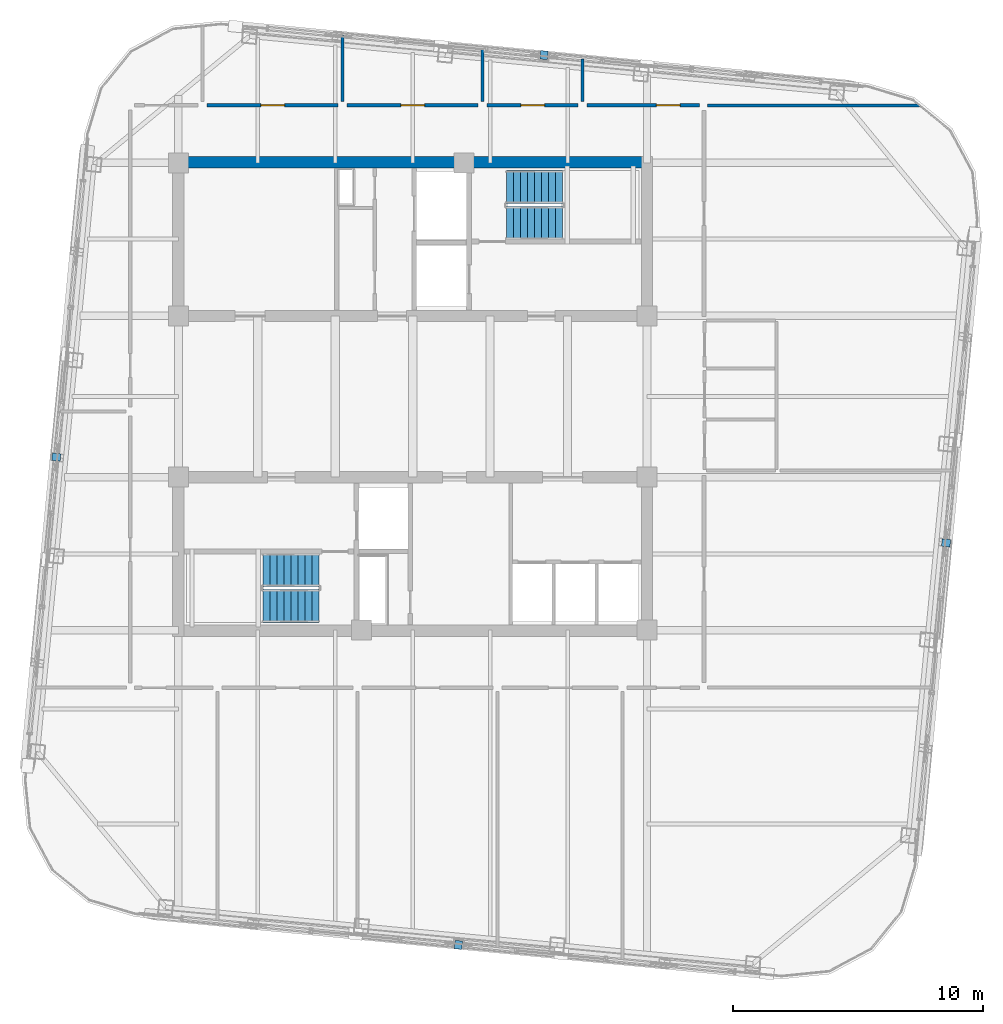
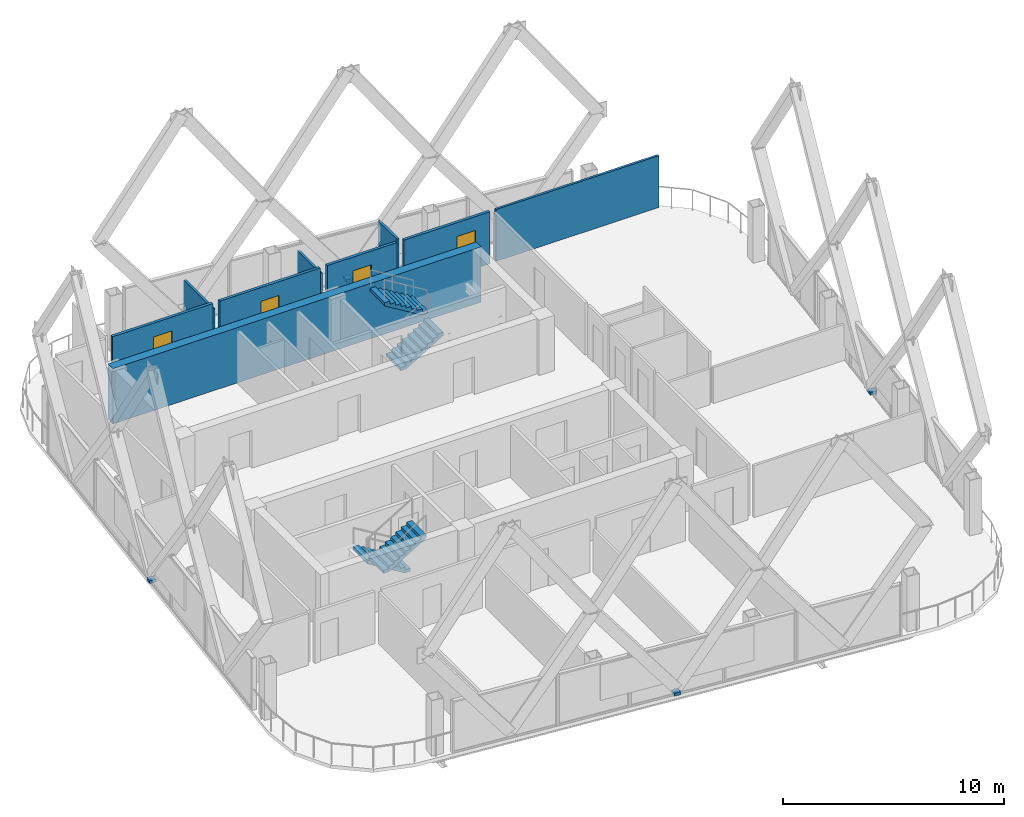
# One storey, part 21 of 25: 9 walls, 4 discrete accessories, 4 doors, 4 stair flights, 4 openings, 2 elements without a shape of their own.
"""IFC4 building model written with IfcOpenShell, lengths in metres."""

from ifc_helpers import new_model, si_unit, direction, frame, frame_2d, origin, origin_2d, place, context, subcontext, project, spatial, polyline, rectangle, outline, extrude, material, layer, layer_set, type_object, element, fill, aggregate, save


model = new_model("IFC4")

# Units and contexts
model_context = context("Model", 3, precision=1e-05, world=origin(), true_north=direction((0.0, 1.0)))
body_context = subcontext(model_context, "Body", "Model", "MODEL_VIEW")
ifc_project = project(units=[si_unit("LENGTHUNIT", "METRE"), si_unit("AREAUNIT", "SQUARE_METRE"), si_unit("VOLUMEUNIT", "CUBIC_METRE"), si_unit("PLANEANGLEUNIT", "RADIAN"), si_unit("MASSUNIT", "GRAM", prefix="KILO")], contexts=[model_context])

# Site, building, storey
site_placement = place(None, origin())
site = spatial("IfcSite", under=ifc_project, at=site_placement, CompositionType="ELEMENT")
building_placement = place(site_placement, origin())
building = spatial("IfcBuilding", under=site, at=building_placement, Name="Qhalaya Broadcast Tower", CompositionType="ELEMENT")
storey_placement = place(building_placement, frame((0.0, 0.0, 255.050048828125)))
storey = spatial("IfcBuildingStorey", under=building, at=storey_placement, Name="L75", CompositionType="ELEMENT", Elevation=255.050048828125)

# Wall, opening, door
ifc_material_1 = material(Name="Gypsum Acoustic Partition")
ifc_layer_1 = layer(ifc_material_1, 0.14990234375, Name="Gypsum Acoustic Partition")
ifc_layer_set_1 = layer_set([ifc_layer_1], Name="Gypsum Acoustic Partition")
wall_type_1 = type_object("IfcWallType", Name="Corridor & Tenancy Acoustic Partition 150", PredefinedType="PARTITIONING", material=ifc_layer_set_1)
wall_1_placement = place(storey_placement, frame((-8.219970703125, 12.25, 0.0), z_axis=(0.0, 0.0, 1.0), x_axis=(1.0, 0.0, 0.0)))
wall_1 = element("IfcWall", 1, at=wall_1_placement, inside=storey, type_object=wall_type_1, Name="L75 Partition Wall W-COR-02", PredefinedType="PARTITIONING", context=body_context, shape_type="SweptSolid", body=[
    extrude(rectangle(XDim=5.239990234375, YDim=0.14990234375, at=frame_2d((2.6201171875, 0.0))), origin(), (0.0, 0.0, 1.0), 2.85986328125),
])
opening_1_placement = place(wall_1_placement, frame((2.14501953125, 0.0, 0.0)))
opening_1 = element("IfcOpeningElement", 2, at=opening_1_placement, cuts=wall_1, Name="Opening D10", PredefinedType="OPENING", context=body_context, shape_type="SweptSolid", body=[
    extrude(rectangle(XDim=0.949951171875, YDim=2.10009765625, at=frame_2d((0.47509765625, 1.050048828125))), frame((0.0, 0.0869140625, 0.0), z_axis=(0.0, -1.0, 0.0), x_axis=(1.0, 0.0, 0.0)), (0.0, 0.0, 1.0), 0.173828125),
])
ifc_material_2 = material(Name="Timber Veneer Acoustic Door", Category="wood")
door_type = type_object("IfcDoorType", Name="Cellular Office & Edit Booth Door D10", OperationType="NOTDEFINED", PredefinedType="DOOR", material=ifc_material_2)
door_1_placement = place(opening_1_placement, origin())
door_1 = element("IfcDoor", 3, at=door_1_placement, inside=storey, type_object=door_type, Name="L75 Door D-RM02", OperationType="SINGLE_SWING_RIGHT", OverallHeight=2.10009765625, OverallWidth=0.949951171875, PredefinedType="DOOR", context=body_context, shape_type="SweptSolid", body=[
    extrude(rectangle(XDim=0.949951171875, YDim=2.10009765625, at=frame_2d((0.47509765625, 1.050048828125))), frame((0.0, 0.02490234375, 0.0), z_axis=(0.0, -1.0, 0.0), x_axis=(1.0, 0.0, 0.0)), (0.0, 0.0, 1.0), 0.050048828125),
])
fill(opening_1, door_1)

wall_2_placement = place(storey_placement, frame((-2.6201171875, 12.25, 0.0), z_axis=(0.0, 0.0, 1.0), x_axis=(1.0, 0.0, 0.0)))
wall_2 = element("IfcWall", 4, at=wall_2_placement, inside=storey, type_object=wall_type_1, Name="L75 Partition Wall W-COR-03", PredefinedType="PARTITIONING", context=body_context, shape_type="SweptSolid", body=[
    extrude(rectangle(XDim=5.240234375, YDim=0.14990234375, at=frame_2d((2.6201171875, 0.0))), origin(), (0.0, 0.0, 1.0), 2.85986328125),
])
opening_2_placement = place(wall_2_placement, frame((2.14501953125, 0.0, 0.0)))
opening_2 = element("IfcOpeningElement", 5, at=opening_2_placement, cuts=wall_2, Name="Opening D10", PredefinedType="OPENING", context=body_context, shape_type="SweptSolid", body=[
    extrude(rectangle(XDim=0.949951171875, YDim=2.10009765625, at=frame_2d((0.47509765625, 1.050048828125))), frame((0.0, 0.0869140625, 0.0), z_axis=(0.0, -1.0, 0.0), x_axis=(1.0, 0.0, 0.0)), (0.0, 0.0, 1.0), 0.173828125),
])
door_2_placement = place(opening_2_placement, origin())
door_2 = element("IfcDoor", 6, at=door_2_placement, inside=storey, type_object=door_type, Name="L75 Door D-RM03", OperationType="SINGLE_SWING_LEFT", OverallHeight=2.10009765625, OverallWidth=0.949951171875, PredefinedType="DOOR", context=body_context, shape_type="SweptSolid", body=[
    extrude(rectangle(XDim=0.949951171875, YDim=2.10009765625, at=frame_2d((0.47509765625, 1.050048828125))), frame((0.0, 0.02490234375, 0.0), z_axis=(0.0, -1.0, 0.0), x_axis=(1.0, 0.0, 0.0)), (0.0, 0.0, 1.0), 0.050048828125),
])
fill(opening_2, door_2)

wall_3_placement = place(storey_placement, frame((2.97998046875, 12.25, 0.0), z_axis=(0.0, 0.0, 1.0), x_axis=(1.0, 0.0, 0.0)))
wall_3 = element("IfcWall", 7, at=wall_3_placement, inside=storey, type_object=wall_type_1, Name="L75 Partition Wall W-COR-04", PredefinedType="PARTITIONING", context=body_context, shape_type="SweptSolid", body=[
    extrude(rectangle(XDim=3.64013671875, YDim=0.14990234375, at=frame_2d((1.820068359375, 0.0))), origin(), (0.0, 0.0, 1.0), 2.85986328125),
])
opening_3_placement = place(wall_3_placement, frame((1.344970703125, 0.0, 0.0)))
opening_3 = element("IfcOpeningElement", 8, at=opening_3_placement, cuts=wall_3, Name="Opening D10", PredefinedType="OPENING", context=body_context, shape_type="SweptSolid", body=[
    extrude(rectangle(XDim=0.949951171875, YDim=2.10009765625, at=frame_2d((0.47509765625, 1.050048828125))), frame((0.0, 0.0869140625, 0.0), z_axis=(0.0, -1.0, 0.0), x_axis=(1.0, 0.0, 0.0)), (0.0, 0.0, 1.0), 0.173828125),
])
door_3_placement = place(opening_3_placement, origin())
door_3 = element("IfcDoor", 9, at=door_3_placement, inside=storey, type_object=door_type, Name="L75 Door D-RM04", OperationType="SINGLE_SWING_RIGHT", OverallHeight=2.10009765625, OverallWidth=0.949951171875, PredefinedType="DOOR", context=body_context, shape_type="SweptSolid", body=[
    extrude(rectangle(XDim=0.949951171875, YDim=2.10009765625, at=frame_2d((0.47509765625, 1.050048828125))), frame((0.0, 0.02490234375, 0.0), z_axis=(0.0, -1.0, 0.0), x_axis=(1.0, 0.0, 0.0)), (0.0, 0.0, 1.0), 0.050048828125),
])
fill(opening_3, door_3)

wall_4_placement = place(storey_placement, frame((6.97998046875, 12.25, 0.0), z_axis=(0.0, 0.0, 1.0), x_axis=(1.0, 0.0, 0.0)))
wall_4 = element("IfcWall", 10, at=wall_4_placement, inside=storey, type_object=wall_type_1, Name="L75 Partition Wall W-COR-05", PredefinedType="PARTITIONING", context=body_context, shape_type="SweptSolid", body=[
    extrude(rectangle(XDim=4.489990234375, YDim=0.14990234375, at=frame_2d((2.2451171875, 0.0))), origin(), (0.0, 0.0, 1.0), 2.85986328125),
])
opening_4_placement = place(wall_4_placement, frame((2.77001953125, 0.0, 0.0)))
opening_4 = element("IfcOpeningElement", 11, at=opening_4_placement, cuts=wall_4, Name="Opening D10", PredefinedType="OPENING", context=body_context, shape_type="SweptSolid", body=[
    extrude(rectangle(XDim=0.949951171875, YDim=2.10009765625, at=frame_2d((0.47509765625, 1.050048828125))), frame((0.0, 0.0869140625, 0.0), z_axis=(0.0, -1.0, 0.0), x_axis=(1.0, 0.0, 0.0)), (0.0, 0.0, 1.0), 0.173828125),
])
door_4_placement = place(opening_4_placement, origin())
door_4 = element("IfcDoor", 12, at=door_4_placement, inside=storey, type_object=door_type, Name="L75 Door D-RM05", OperationType="SINGLE_SWING_LEFT", OverallHeight=2.10009765625, OverallWidth=0.949951171875, PredefinedType="DOOR", context=body_context, shape_type="SweptSolid", body=[
    extrude(rectangle(XDim=0.949951171875, YDim=2.10009765625, at=frame_2d((0.47509765625, 1.050048828125))), frame((0.0, 0.02490234375, 0.0), z_axis=(0.0, -1.0, 0.0), x_axis=(1.0, 0.0, 0.0)), (0.0, 0.0, 1.0), 0.050048828125),
])
fill(opening_4, door_4)

# Walls
ifc_layer_2 = layer(ifc_material_1, 0.1201171875, Name="Gypsum Acoustic Partition")
ifc_layer_set_2 = layer_set([ifc_layer_2], Name="Gypsum Acoustic Partition")
wall_type_2 = type_object("IfcWallType", Name="Office, Booth & Sanitary Partition 120", PredefinedType="PARTITIONING", material=ifc_layer_set_2)
wall_5_placement = place(storey_placement, frame((11.7900390625, 12.25, 0.0), z_axis=(0.0, 0.0, 1.0), x_axis=(1.0, 0.0, 0.0)))
element("IfcWall", 13, at=wall_5_placement, inside=storey, type_object=wall_type_2, Name="L75 Partition Wall W-BNDE1", PredefinedType="PARTITIONING", context=body_context, shape_type="SweptSolid", body=[
    extrude(rectangle(XDim=8.484130859375, YDim=0.1201171875, at=frame_2d((4.2421875, 0.0))), origin(), (0.0, 0.0, 1.0), 2.85986328125),
])
wall_6_placement = place(storey_placement, frame((-2.800048828125, 12.409912109375, 0.0), z_axis=(0.0, 0.0, 1.0), x_axis=(0.0, 1.0, 0.0)))
element("IfcWall", 14, at=wall_6_placement, inside=storey, type_object=wall_type_2, Name="L75 Partition Wall W-DIVN2", PredefinedType="PARTITIONING", context=body_context, shape_type="SweptSolid", body=[
    extrude(rectangle(XDim=2.623291015625, YDim=0.1201171875, at=frame_2d((1.3115234375, 0.0))), origin(), (0.0, 0.0, 1.0), 2.380859375),
])
wall_7_placement = place(storey_placement, frame((2.800048828125, 12.409912109375, 0.0), z_axis=(0.0, 0.0, 1.0), x_axis=(0.0, 1.0, 0.0)))
element("IfcWall", 15, at=wall_7_placement, inside=storey, type_object=wall_type_2, Name="L75 Partition Wall W-DIVN3", PredefinedType="PARTITIONING", context=body_context, shape_type="SweptSolid", body=[
    extrude(rectangle(XDim=2.083984375, YDim=0.1201171875, at=frame_2d((1.0419921875, 0.0))), origin(), (0.0, 0.0, 1.0), 2.380859375),
])
wall_8_placement = place(storey_placement, frame((6.800048828125, 12.409912109375, 0.0), z_axis=(0.0, 0.0, 1.0), x_axis=(0.0, 1.0, 0.0)))
element("IfcWall", 16, at=wall_8_placement, inside=storey, type_object=wall_type_2, Name="L75 Partition Wall W-DIVN4", PredefinedType="PARTITIONING", context=body_context, shape_type="SweptSolid", body=[
    extrude(rectangle(XDim=1.698974609375, YDim=0.1201171875, at=frame_2d((0.849609375, 0.0))), origin(), (0.0, 0.0, 1.0), 2.85986328125),
])
ifc_material_3 = material(Name="Concrete C50/60", Category="concrete")
ifc_layer_3 = layer(ifc_material_3, 0.449951171875, Name="Concrete C50/60")
ifc_layer_set_3 = layer_set([ifc_layer_3], Name="Concrete C50/60")
wall_type_3 = type_object("IfcWallType", Name="Upper Split-Core Shear Wall 450", PredefinedType="SHEAR", material=ifc_layer_set_3)
wall_9_placement = place(storey_placement, frame((-9.60009765625, 9.97509765625, 0.0), z_axis=(0.0, 0.0, 1.0), x_axis=(1.0, 0.0, 0.0)))
element("IfcWall", 17, at=wall_9_placement, inside=storey, type_object=wall_type_3, Name="L75 Split-Core Shear Wall CW-NN", PredefinedType="SHEAR", context=body_context, shape_type="SweptSolid", body=[
    extrude(rectangle(XDim=19.2001953125, YDim=0.449951171875, at=frame_2d((9.60009765625, 0.0))), origin(), (0.0, 0.0, 1.0), 3.050048828125),
])

# Stair, stair flights
ifc_material_4 = material(Name="Concrete C40/50", Category="concrete")
stair_type = type_object("IfcStairType", Name="Protected Dogleg Core Stair 3150", PredefinedType="TWO_STRAIGHT_RUN_STAIR", material=ifc_material_4)
stair_1_placement = place(storey_placement, origin())
stair_1 = element("IfcStair", 18, at=stair_1_placement, inside=storey, type_object=stair_type, Name="L75 North Core Exit Stair ST-1", PredefinedType="TWO_STRAIGHT_RUN_STAIR")
ifc_material_5 = material(Name="Precast Concrete C40/50", Category="concrete")
stair_flight_type = type_object("IfcStairFlightType", Name="Precast Concrete Stair Flight 3150", PredefinedType="STRAIGHT", material=ifc_material_5)
stair_flight_1_placement = place(storey_placement, frame((3.75, 7.5400390625, 0.0), z_axis=(0.0, 0.0, 1.0), x_axis=(1.0, 0.0, 0.0)))
stair_flight_1 = element("IfcStairFlight", 19, at=stair_flight_1_placement, type_object=stair_flight_type, Name="ST-1 flight 1", NumberOfRisers=9, NumberOfTreads=8, PredefinedType="STRAIGHT", RiserHeight=0.169444444, TreadLength=0.28, context=body_context, shape_type="SweptSolid", body=[
    extrude(outline(polyline([(0.0, 0.0), (0.0, 0.16943359375), (0.280029296875, 0.16943359375), (0.280029296875, 0.3388671875), (0.56005859375, 0.3388671875), (0.56005859375, 0.50830078125), (0.840087890625, 0.50830078125), (0.840087890625, 0.677734375), (1.1201171875, 0.677734375), (1.1201171875, 0.84716796875), (1.39990234375, 0.84716796875), (1.39990234375, 1.0166015625), (1.679931640625, 1.0166015625), (1.679931640625, 1.18603515625), (1.9599609375, 1.18603515625), (1.9599609375, 1.35546875), (2.239990234375, 1.35546875), (2.239990234375, 1.52490234375), (2.239990234375, 1.180419921875), (0.28955078125, 0.0), (0.0, 0.0)])), frame((0.0, 0.66015625, 0.0), z_axis=(0.0, -1.0, 0.0), x_axis=(1.0, 0.0, 0.0)), (0.0, 0.0, 1.0), 1.320068359375),
])
stair_flight_2_placement = place(storey_placement, frame((5.989990234375, 8.97998046875, 1.52490234375), z_axis=(0.0, 0.0, 1.0), x_axis=(-1.0, 0.0, 0.0)))
stair_flight_2 = element("IfcStairFlight", 20, at=stair_flight_2_placement, type_object=stair_flight_type, Name="ST-1 flight 2", NumberOfRisers=9, NumberOfTreads=8, PredefinedType="STRAIGHT", RiserHeight=0.169444444, TreadLength=0.28, context=body_context, shape_type="SweptSolid", body=[
    extrude(outline(polyline([(0.0, 0.0), (0.0, 0.16943359375), (0.280029296875, 0.16943359375), (0.280029296875, 0.3388671875), (0.56005859375, 0.3388671875), (0.56005859375, 0.50830078125), (0.840087890625, 0.50830078125), (0.840087890625, 0.677734375), (1.1201171875, 0.677734375), (1.1201171875, 0.84716796875), (1.39990234375, 0.84716796875), (1.39990234375, 1.0166015625), (1.679931640625, 1.0166015625), (1.679931640625, 1.18603515625), (1.9599609375, 1.18603515625), (1.9599609375, 1.35546875), (2.239990234375, 1.35546875), (2.239990234375, 1.52490234375), (2.239990234375, 1.180419921875), (0.28955078125, 0.0), (0.0, 0.0)])), frame((0.0, 0.66015625, 0.0), z_axis=(0.0, -1.0, 0.0), x_axis=(1.0, 0.0, 0.0)), (0.0, 0.0, 1.0), 1.320068359375),
])
aggregate(stair_1, [stair_flight_1, stair_flight_2])

stair_2_placement = place(storey_placement, origin())
stair_2 = element("IfcStair", 21, at=stair_2_placement, inside=storey, type_object=stair_type, Name="L75 South Core Exit Stair ST-2", PredefinedType="TWO_STRAIGHT_RUN_STAIR")
stair_flight_3_placement = place(storey_placement, frame((-3.75, -6.340087890625, 0.0), z_axis=(0.0, 0.0, 1.0), x_axis=(-1.0, 0.0, 0.0)))
stair_flight_3 = element("IfcStairFlight", 22, at=stair_flight_3_placement, type_object=stair_flight_type, Name="ST-2 flight 1", NumberOfRisers=9, NumberOfTreads=8, PredefinedType="STRAIGHT", RiserHeight=0.169444444, TreadLength=0.28, context=body_context, shape_type="SweptSolid", body=[
    extrude(outline(polyline([(0.0, 0.0), (0.0, 0.16943359375), (0.280029296875, 0.16943359375), (0.280029296875, 0.3388671875), (0.56005859375, 0.3388671875), (0.56005859375, 0.50830078125), (0.840087890625, 0.50830078125), (0.840087890625, 0.677734375), (1.1201171875, 0.677734375), (1.1201171875, 0.84716796875), (1.39990234375, 0.84716796875), (1.39990234375, 1.0166015625), (1.679931640625, 1.0166015625), (1.679931640625, 1.18603515625), (1.9599609375, 1.18603515625), (1.9599609375, 1.35546875), (2.239990234375, 1.35546875), (2.239990234375, 1.52490234375), (2.239990234375, 1.180419921875), (0.28955078125, 0.0), (0.0, 0.0)])), frame((0.0, 0.66015625, 0.0), z_axis=(0.0, -1.0, 0.0), x_axis=(1.0, 0.0, 0.0)), (0.0, 0.0, 1.0), 1.320068359375),
])
stair_flight_4_placement = place(storey_placement, frame((-5.989990234375, -7.780029296875, 1.52490234375), z_axis=(0.0, 0.0, 1.0), x_axis=(1.0, 0.0, 0.0)))
stair_flight_4 = element("IfcStairFlight", 23, at=stair_flight_4_placement, type_object=stair_flight_type, Name="ST-2 flight 2", NumberOfRisers=9, NumberOfTreads=8, PredefinedType="STRAIGHT", RiserHeight=0.169444444, TreadLength=0.28, context=body_context, shape_type="SweptSolid", body=[
    extrude(outline(polyline([(0.0, 0.0), (0.0, 0.16943359375), (0.280029296875, 0.16943359375), (0.280029296875, 0.3388671875), (0.56005859375, 0.3388671875), (0.56005859375, 0.50830078125), (0.840087890625, 0.50830078125), (0.840087890625, 0.677734375), (1.1201171875, 0.677734375), (1.1201171875, 0.84716796875), (1.39990234375, 0.84716796875), (1.39990234375, 1.0166015625), (1.679931640625, 1.0166015625), (1.679931640625, 1.18603515625), (1.9599609375, 1.18603515625), (1.9599609375, 1.35546875), (2.239990234375, 1.35546875), (2.239990234375, 1.52490234375), (2.239990234375, 1.180419921875), (0.28955078125, 0.0), (0.0, 0.0)])), frame((0.0, 0.66015625, 0.0), z_axis=(0.0, -1.0, 0.0), x_axis=(1.0, 0.0, 0.0)), (0.0, 0.0, 1.0), 1.320068359375),
])
aggregate(stair_2, [stair_flight_3, stair_flight_4])

# Discrete accessories
ifc_material_6 = material(Name="Structural Steel ASTM A572 Grade 50", Category="steel")
discrete_accessory_type = type_object("IfcDiscreteAccessoryType", Name="Facade Baguette Support Bracket BRK-01", PredefinedType="BRACKET", material=ifc_material_6)
for number, where, z_axis, x_axis, name in (
    (24, (1.826171875, -21.337646484375, 0.0), (0.0, 0.0, 1.0), (0.995396198367, -0.09584575252, 0.0), "L75 Baguette Support Bracket S"),
    (25, (21.337646484375, -5.25390625, 0.0), (0.0, 0.0, 1.0), (0.09584575252, 0.995396198367, 0.0), "L75 Baguette Support Bracket E"),
    (26, (5.25390625, 14.2578125, 0.0), (0.0, 0.0, 1.0), (-0.995396198367, 0.09584575252, 0.0), "L75 Baguette Support Bracket N"),
    (27, (-14.2578125, -1.826171875, 0.0), (0.0, 0.0, 1.0), (-0.09584575252, -0.995396198367, 0.0), "L75 Baguette Support Bracket W"),
):
    element("IfcDiscreteAccessory", number, at=place(storey_placement, frame(where, z_axis=z_axis, x_axis=x_axis)), inside=storey, type_object=discrete_accessory_type, Name=name, PredefinedType="BRACKET", context=body_context, shape_type="SweptSolid", body=[
        extrude(rectangle(XDim=0.300048828125, YDim=0.340087890625, at=origin_2d()), origin(), (0.0, 0.0, 1.0), 0.159912109375),
    ])

save(model, "model.ifc")
